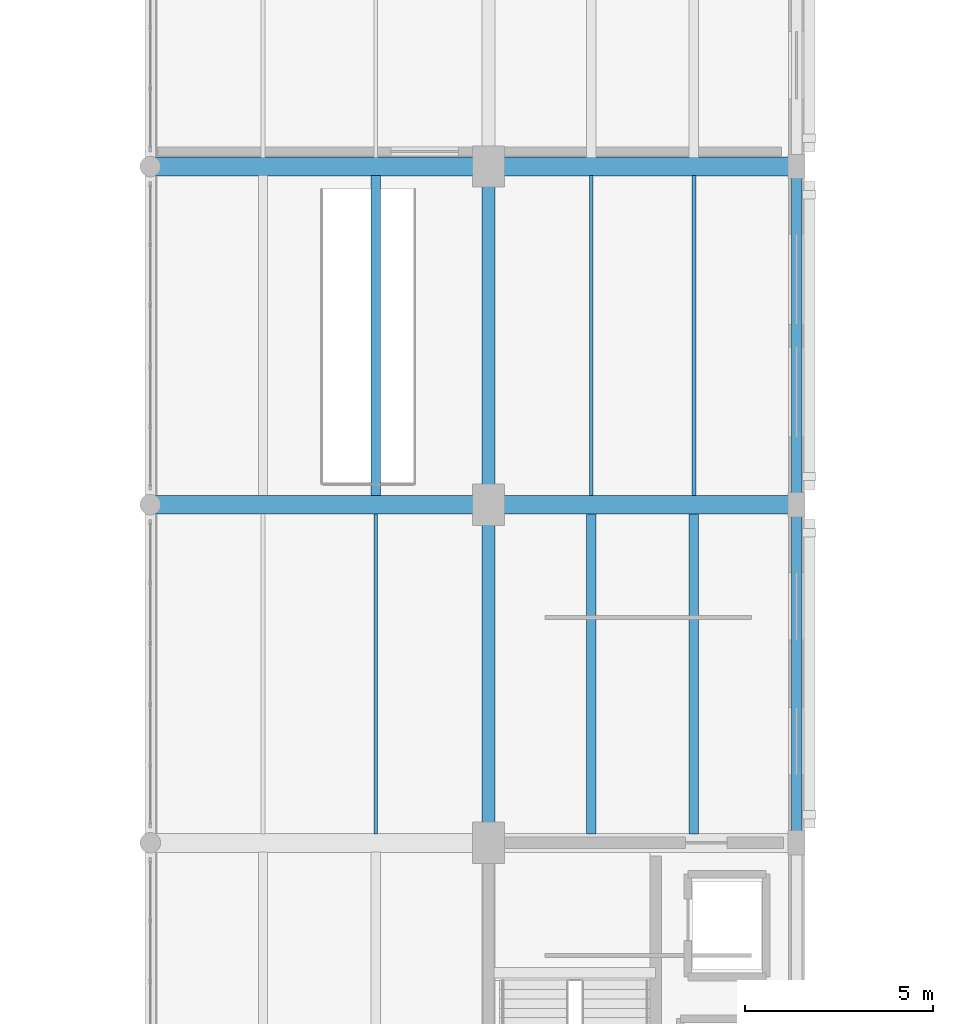
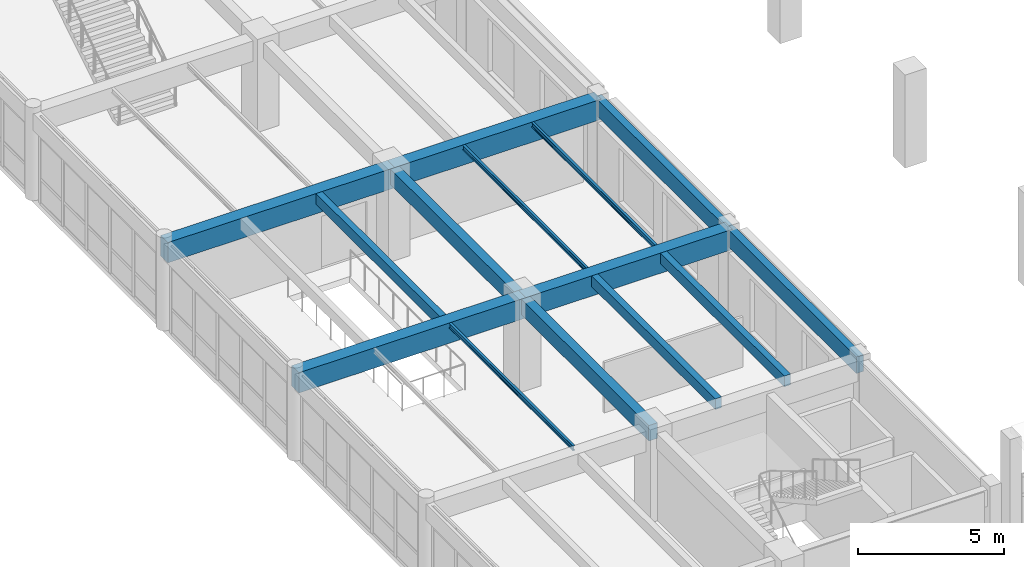
# One storey, part 38 of 156: 14 beams.
"""IFC4 building model written with IfcOpenShell, lengths in metres."""

from ifc_helpers import new_model, si_unit, direction, frame, origin, origin_2d, place, context, subcontext, project, spatial, rectangle, i_section, extrude, material, material_profile, profile_set, type_object, element, save


model = new_model("IFC4")

# Units and contexts
model_context = context("Model", 3, precision=1e-05, world=origin(), true_north=direction((0.0, 1.0)))
body_context = subcontext(model_context, "Body", "Model", "MODEL_VIEW")
ifc_project = project(units=[si_unit("LENGTHUNIT", "METRE"), si_unit("AREAUNIT", "SQUARE_METRE"), si_unit("VOLUMEUNIT", "CUBIC_METRE"), si_unit("PLANEANGLEUNIT", "RADIAN"), si_unit("MASSUNIT", "GRAM", prefix="KILO")], contexts=[model_context])

# Site, building, storey
site_placement = place(None, origin())
site = spatial("IfcSite", under=ifc_project, at=site_placement, CompositionType="ELEMENT")
building_placement = place(site_placement, origin())
building = spatial("IfcBuilding", under=site, at=building_placement, Name="Ornek Quay Market", CompositionType="ELEMENT")
storey_placement = place(building_placement, frame((0.0, 0.0, 4.5)))
storey = spatial("IfcBuildingStorey", under=building, at=storey_placement, Name="L01", CompositionType="ELEMENT", Elevation=4.5)

# Beams
ifc_material_1 = material(Name="Concrete C35/45", Category="concrete")
ifc_material_profile_1 = material_profile(ifc_material_1, rectangle(XDim=0.35009765625, YDim=0.64990234375, at=origin_2d()), Name="RC 350x650", Category="concrete")
ifc_profile_set_1 = profile_set([ifc_material_profile_1], Name="Concrete C35/45")
beam_type_1 = type_object("IfcBeamType", Name="BM-CONC-350x650", PredefinedType="BEAM", material=ifc_profile_set_1)
for number, where, z_axis, x_axis, name in (
    (1, (117.0, 38.0, 3.3349609375), (0.0, 1.0, 0.0), (-1.0, 0.0, 0.0), "Primary beam B-CN1-122"),
    (2, (117.0, 47.0, 3.3349609375), (0.0, 1.0, 0.0), (-1.0, 0.0, 0.0), "Primary beam B-CN1-123"),
):
    element("IfcBeam", number, at=place(storey_placement, frame(where, z_axis=z_axis, x_axis=x_axis)), inside=storey, type_object=beam_type_1, Name=name, PredefinedType="BEAM", context=body_context, shape_type="SweptSolid", body=[
        extrude(rectangle(XDim=0.35009765625, YDim=0.64990234375, at=origin_2d()), origin(), (0.0, 0.0, 1.0), 9.0),
    ])
ifc_material_2 = material(Name="Concrete C40/50", Category="concrete")
ifc_material_profile_2 = material_profile(ifc_material_2, rectangle(XDim=0.5, YDim=0.85009765625, at=origin_2d()), Name="RC 500x850", Category="concrete")
ifc_profile_set_2 = profile_set([ifc_material_profile_2], Name="Concrete C40/50")
beam_type_2 = type_object("IfcBeamType", Name="BM-GAL-500x850", PredefinedType="BEAM", material=ifc_profile_set_2)
beam_1_placement = place(storey_placement, frame((108.0, 47.0, 3.235107421875), z_axis=(1.0, 0.0, 0.0), x_axis=(0.0, 1.0, 0.0)))
element("IfcBeam", 3, at=beam_1_placement, inside=storey, type_object=beam_type_2, Name="Primary beam B-GL1-081", PredefinedType="BEAM", context=body_context, shape_type="SweptSolid", body=[
    extrude(rectangle(XDim=0.5, YDim=0.85009765625, at=origin_2d()), origin(), (0.0, 0.0, 1.0), 9.0),
])
beam_2_placement = place(storey_placement, frame((117.0, 47.0, 3.235107421875), z_axis=(1.0, 0.0, 0.0), x_axis=(0.0, 1.0, 0.0)))
element("IfcBeam", 4, at=beam_2_placement, inside=storey, type_object=beam_type_2, Name="Primary beam B-GL1-082", PredefinedType="BEAM", context=body_context, shape_type="SweptSolid", body=[
    extrude(rectangle(XDim=0.5, YDim=0.85009765625, at=origin_2d()), origin(), (0.0, 0.0, 1.0), 8.199951171875),
])
beam_3_placement = place(storey_placement, frame((108.0, 56.0, 3.235107421875), z_axis=(1.0, 0.0, 0.0), x_axis=(0.0, 1.0, 0.0)))
element("IfcBeam", 5, at=beam_3_placement, inside=storey, type_object=beam_type_2, Name="Primary beam B-GL1-083", PredefinedType="BEAM", context=body_context, shape_type="SweptSolid", body=[
    extrude(rectangle(XDim=0.5, YDim=0.85009765625, at=origin_2d()), origin(), (0.0, 0.0, 1.0), 9.0),
])
beam_4_placement = place(storey_placement, frame((117.0, 56.0, 3.235107421875), z_axis=(1.0, 0.0, 0.0), x_axis=(0.0, 1.0, 0.0)))
element("IfcBeam", 6, at=beam_4_placement, inside=storey, type_object=beam_type_2, Name="Primary beam B-GL1-084", PredefinedType="BEAM", context=body_context, shape_type="SweptSolid", body=[
    extrude(rectangle(XDim=0.5, YDim=0.85009765625, at=origin_2d()), origin(), (0.0, 0.0, 1.0), 8.199951171875),
])
ifc_material_profile_3 = material_profile(ifc_material_1, rectangle(XDim=0.25, YDim=0.449951171875, at=origin_2d()), Name="RC 250x450", Category="concrete")
ifc_profile_set_3 = profile_set([ifc_material_profile_3], Name="Concrete C35/45")
beam_type_3 = type_object("IfcBeamType", Name="BM-SEC-250x450", PredefinedType="JOIST", material=ifc_profile_set_3)
for number, where, z_axis, x_axis, name in (
    (7, (114.0, 47.241943359375, 3.43505859375), (0.0, 1.0, 0.0), (-1.0, 0.0, 0.0), "Secondary joist B-SC3-028"),
    (8, (119.7333984375, 38.241943359375, 3.43505859375), (0.0, 1.0, 0.0), (-1.0, 0.0, 0.0), "Secondary joist B-SC3-031"),
    (9, (122.466796875, 38.241943359375, 3.43505859375), (0.0, 1.0, 0.0), (-1.0, 0.0, 0.0), "Secondary joist B-SC3-032"),
):
    element("IfcBeam", number, at=place(storey_placement, frame(where, z_axis=z_axis, x_axis=x_axis)), inside=storey, type_object=beam_type_3, Name=name, PredefinedType="JOIST", context=body_context, shape_type="SweptSolid", body=[
        extrude(rectangle(XDim=0.25, YDim=0.449951171875, at=origin_2d()), origin(), (0.0, 0.0, 1.0), 8.51611328125),
    ])
ifc_material_profile_4 = material_profile(ifc_material_1, rectangle(XDim=0.280029296875, YDim=0.699951171875, at=origin_2d()), Name="RC 280x700", Category="concrete")
ifc_profile_set_4 = profile_set([ifc_material_profile_4], Name="Concrete C35/45")
beam_type_4 = type_object("IfcBeamType", Name="BM-SPN-280x700", PredefinedType="SPANDREL", material=ifc_profile_set_4)
for number, where, z_axis, x_axis, name in (
    (10, (125.199951171875, 38.0, 3.31005859375), (0.0, 1.0, 0.0), (-1.0, 0.0, 0.0), "Primary beam B-SP2-081"),
    (11, (125.199951171875, 47.0, 3.31005859375), (0.0, 1.0, 0.0), (-1.0, 0.0, 0.0), "Primary beam B-SP2-082"),
):
    element("IfcBeam", number, at=place(storey_placement, frame(where, z_axis=z_axis, x_axis=x_axis)), inside=storey, type_object=beam_type_4, Name=name, PredefinedType="SPANDREL", context=body_context, shape_type="SweptSolid", body=[
        extrude(rectangle(XDim=0.280029296875, YDim=0.699951171875, at=origin_2d()), origin(), (0.0, 0.0, 1.0), 9.0),
    ])
ifc_material_3 = material(Name="Steel S355", Category="steel")
ifc_material_profile_5 = material_profile(ifc_material_3, i_section(OverallWidth=0.10009765625, OverallDepth=0.199951171875, WebThickness=0.005615234375, FlangeThickness=0.008544921875, FilletRadius=0.011962890625, at=origin_2d()), Name="IPE 200", Category="steel")
ifc_profile_set_5 = profile_set([ifc_material_profile_5], Name="Steel S355")
beam_type_5 = type_object("IfcBeamType", Name="BM-STL-IPE200", PredefinedType="JOIST", material=ifc_profile_set_5)
for number, where, z_axis, x_axis, name in (
    (12, (114.0, 38.241943359375, 3.56005859375), (0.0, 1.0, 0.0), (-1.0, 0.0, 0.0), "Secondary joist SB-02-028"),
    (13, (119.7333984375, 47.241943359375, 3.56005859375), (0.0, 1.0, 0.0), (-1.0, 0.0, 0.0), "Secondary joist SB-02-033"),
    (14, (122.466796875, 47.241943359375, 3.56005859375), (0.0, 1.0, 0.0), (-1.0, 0.0, 0.0), "Secondary joist SB-02-034"),
):
    element("IfcBeam", number, at=place(storey_placement, frame(where, z_axis=z_axis, x_axis=x_axis)), inside=storey, type_object=beam_type_5, Name=name, PredefinedType="JOIST", context=body_context, shape_type="SweptSolid", body=[
        extrude(i_section(OverallWidth=0.10009765625, OverallDepth=0.199951171875, WebThickness=0.005615234375, FlangeThickness=0.008544921875, FilletRadius=0.011962890625, at=origin_2d()), origin(), (0.0, 0.0, 1.0), 8.51611328125),
    ])

save(model, "model.ifc")
